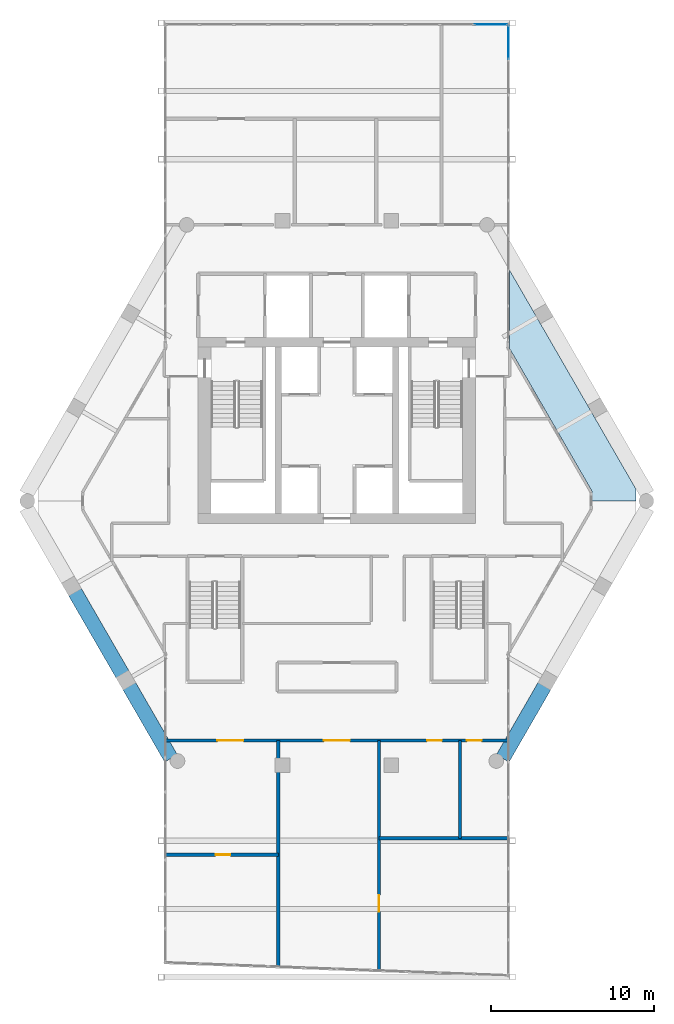
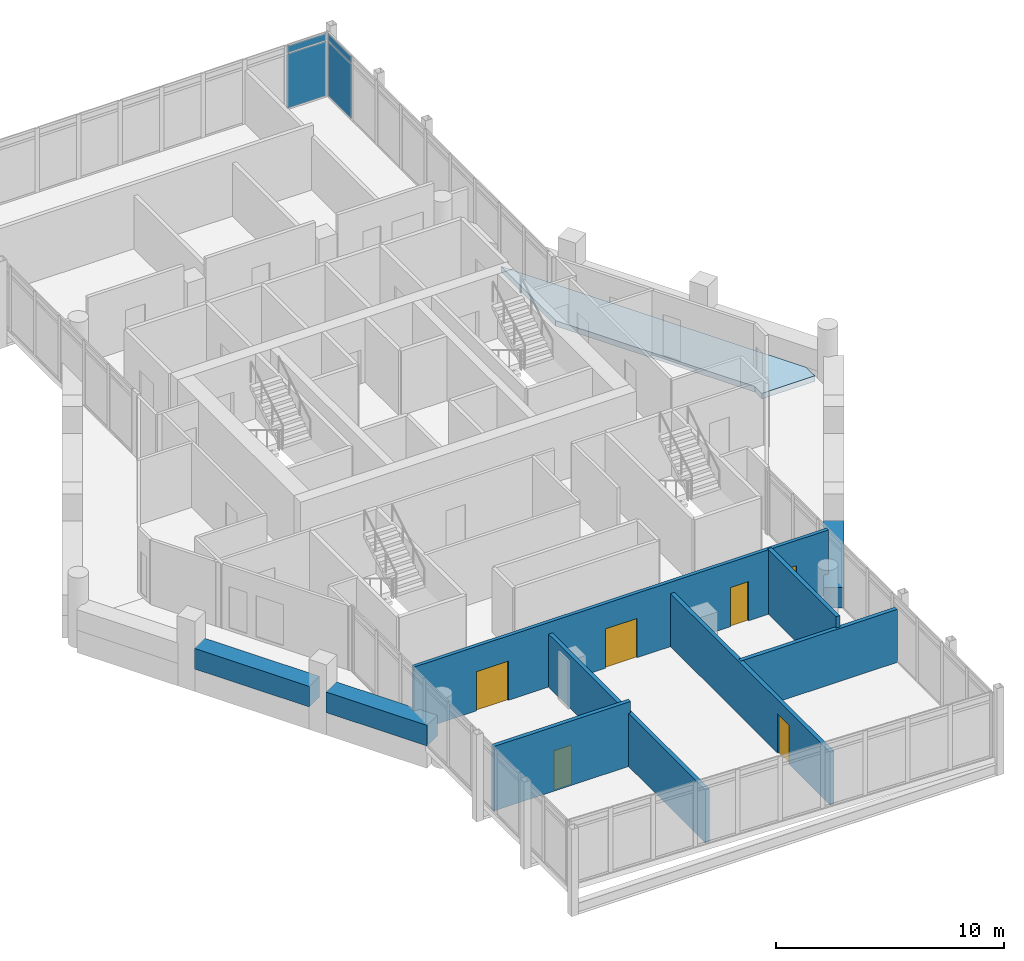
# One storey, part 20 of 25: 9 walls, 6 doors, 4 plates, 1 slab, 6 openings, 2 elements without a shape of their own.
"""IFC4 building model written with IfcOpenShell, lengths in metres."""

from ifc_helpers import new_model, si_unit, direction, frame, frame_2d, origin, origin_2d, place, context, subcontext, project, spatial, polyline, rectangle, outline, extrude, material, layer, layer_set, type_object, element, fill, aggregate, save


model = new_model("IFC4")

# Units and contexts
model_context = context("Model", 3, precision=1e-05, world=origin(), true_north=direction((0.0, 1.0)))
body_context = subcontext(model_context, "Body", "Model", "MODEL_VIEW")
ifc_project = project(units=[si_unit("LENGTHUNIT", "METRE"), si_unit("AREAUNIT", "SQUARE_METRE"), si_unit("VOLUMEUNIT", "CUBIC_METRE"), si_unit("PLANEANGLEUNIT", "RADIAN"), si_unit("MASSUNIT", "GRAM", prefix="KILO")], contexts=[model_context])

# Site, building, storey
site_placement = place(None, origin())
site = spatial("IfcSite", under=ifc_project, at=site_placement, CompositionType="ELEMENT")
building_placement = place(site_placement, origin())
building = spatial("IfcBuilding", under=site, at=building_placement, Name="Ostrander Bayou Hotel Tower", CompositionType="ELEMENT")
storey_placement = place(building_placement, frame((0.0, 0.0, 233.25)))
storey = spatial("IfcBuildingStorey", under=building, at=storey_placement, Name="L58", CompositionType="ELEMENT", Elevation=233.25)

# Curtain wall, plates
ifc_material_1 = material(Name="Aluminium and clear glass", Category="aluminium")
curtain_wall_type = type_object("IfcCurtainWallType", Name="CW-BAR glazed wall", PredefinedType="NOTDEFINED", material=ifc_material_1)
curtain_wall_1_placement = place(storey_placement, origin())
curtain_wall_1 = element("IfcCurtainWall", 1, at=curtain_wall_1_placement, inside=storey, type_object=curtain_wall_type, Name="CW-BAR L58:SB5N:T", PredefinedType="NOTDEFINED")
ifc_material_2 = material(Name="Clear laminated glass", Category="glass")
ifc_layer_1 = layer(ifc_material_2, 0.028076171875)
ifc_layer_set_1 = layer_set([ifc_layer_1], Name="CW-BR glazing panel 28 mm")
plate_type = type_object("IfcPlateType", Name="CW-BR glazing panel 28 mm", PredefinedType="CURTAIN_PANEL", material=ifc_layer_set_1)
plate_1_placement = place(storey_placement, frame((9.446044921875, 28.86669921875, 0.06005859375), z_axis=(0.0, 0.0, 1.0), x_axis=(1.0, 0.0, 0.0)))
plate_1 = element("IfcPlate", 2, at=plate_1_placement, type_object=plate_type, Name="CW-BAR panel 10.1", PredefinedType="CURTAIN_PANEL", context=body_context, shape_type="SweptSolid", body=[
    extrude(rectangle(XDim=2.012451171875, YDim=0.028076171875, at=origin_2d()), origin(), (0.0, 0.0, 1.0), 2.909912109375),
])
plate_2_placement = place(storey_placement, frame((9.446044921875, 28.86669921875, 3.02978515625), z_axis=(0.0, 0.0, 1.0), x_axis=(1.0, 0.0, 0.0)))
plate_2 = element("IfcPlate", 3, at=plate_2_placement, type_object=plate_type, Name="CW-BAR panel 10.2", PredefinedType="CURTAIN_PANEL", context=body_context, shape_type="SweptSolid", body=[
    extrude(rectangle(XDim=2.012451171875, YDim=0.028076171875, at=origin_2d()), origin(), (0.0, 0.0, 1.0), 0.360107421875),
])
aggregate(curtain_wall_1, [plate_1, plate_2])

curtain_wall_2_placement = place(storey_placement, origin())
curtain_wall_2 = element("IfcCurtainWall", 4, at=curtain_wall_2_placement, inside=storey, type_object=curtain_wall_type, Name="CW-BAR L58:SB5N:W", PredefinedType="NOTDEFINED")
plate_3_placement = place(storey_placement, frame((10.51220703125, 27.773681640625, 0.06005859375), z_axis=(0.0, 0.0, 1.0), x_axis=(0.0, 1.0, 0.0)))
plate_3 = element("IfcPlate", 5, at=plate_3_placement, type_object=plate_type, Name="CW-BAR panel 9.1", PredefinedType="CURTAIN_PANEL", context=body_context, shape_type="SweptSolid", body=[
    extrude(rectangle(XDim=2.065673828125, YDim=0.028076171875, at=origin_2d()), origin(), (0.0, 0.0, 1.0), 2.909912109375),
])
plate_4_placement = place(storey_placement, frame((10.51220703125, 27.773681640625, 3.02978515625), z_axis=(0.0, 0.0, 1.0), x_axis=(0.0, 1.0, 0.0)))
plate_4 = element("IfcPlate", 6, at=plate_4_placement, type_object=plate_type, Name="CW-BAR panel 9.2", PredefinedType="CURTAIN_PANEL", context=body_context, shape_type="SweptSolid", body=[
    extrude(rectangle(XDim=2.065673828125, YDim=0.028076171875, at=origin_2d()), origin(), (0.0, 0.0, 1.0), 0.360107421875),
])
aggregate(curtain_wall_2, [plate_3, plate_4])

# Slab
ifc_material_3 = material(Name="Concrete f'c 40 MPa", Category="concrete")
ifc_layer_2 = layer(ifc_material_3, 0.300048828125)
ifc_layer_set_2 = layer_set([ifc_layer_2], Name="SL4 loggia slab 300 mm f'c 40 MPa")
slab_type = type_object("IfcSlabType", Name="SL4 loggia slab 300 mm f'c 40 MPa", PredefinedType="FLOOR", material=ifc_layer_set_2)
slab_placement = place(storey_placement, frame((0.0, 0.0, -0.300048828125)))
element("IfcSlab", 7, at=slab_placement, inside=storey, type_object=slab_type, Name="SL4 LOGGIA L58 NE 1", PredefinedType="FLOOR", context=body_context, shape_type="SweptSolid", body=[
    extrude(outline(polyline([(10.587158203125, 13.807861328125), (18.2138671875, 0.59814453125), (18.315185546875, 0.422607421875), (18.315185546875, -0.327392578125), (15.63037109375, -0.327392578125), (15.63037109375, 0.272705078125), (10.587158203125, 9.0078125), (10.587158203125, 13.807861328125)])), origin(), (0.0, 0.0, 1.0), 0.300048828125),
])

# Walls
ifc_material_4 = material(Name="Limestone masonry", Category="masonry")
ifc_layer_3 = layer(ifc_material_4, 0.89990234375)
ifc_layer_set_3 = layer_set([ifc_layer_3], Name="PA2 limestone parapet 900 mm")
wall_type_1 = type_object("IfcWallType", Name="PA2 limestone parapet 900 mm", PredefinedType="PARAPET", material=ifc_layer_set_3)
wall_1_placement = place(storey_placement, frame((-16.047119140625, -5.905517578125, 0.0), z_axis=(0.0, 0.0, 1.0), x_axis=(0.500015433515, -0.866016493057, 0.0)))
element("IfcWall", 8, at=wall_1_placement, inside=storey, type_object=wall_type_1, Name="PA2 L58 SW-2", PredefinedType="PARAPET", context=body_context, shape_type="SweptSolid", body=[
    extrude(rectangle(XDim=5.818603515625, YDim=0.89990234375, at=frame_2d((2.9091796875, 0.0))), origin(), (0.0, 0.0, 1.0), 1.10009765625),
])
for number, where, z_axis, x_axis, name in (
    (9, (-12.7177734375, -11.672119140625, 0.0), (0.0, 0.0, 1.0), (0.500015879365, -0.866016235635, 0.0), "PA2 L58 SW-3"),
    (10, (10.160888671875, -16.1005859375, 0.0), (0.0, 0.0, 1.0), (0.500015879365, 0.866016235635, 0.0), "PA2 L58 SE-1"),
):
    element("IfcWall", number, at=place(storey_placement, frame(where, z_axis=z_axis, x_axis=x_axis)), inside=storey, type_object=wall_type_1, Name=name, PredefinedType="PARAPET", context=body_context, shape_type="SweptSolid", body=[
        extrude(rectangle(XDim=5.113525390625, YDim=0.89990234375, at=frame_2d((2.556640625, 0.0))), origin(), (0.0, 0.0, 1.0), 1.10009765625),
    ])

# Wall, opening, door
ifc_material_5 = material(Name="Gypsum board partition", Category="finish")
ifc_layer_4 = layer(ifc_material_5, 0.199951171875)
ifc_layer_set_4 = layer_set([ifc_layer_4], Name="PT3 demising wall 200 mm acoustic double stud, 1 hour")
wall_type_2 = type_object("IfcWallType", Name="PT3 demising wall 200 mm acoustic double stud, 1 hour", PredefinedType="PARTITIONING", material=ifc_layer_set_4)
wall_2_placement = place(storey_placement, frame((-10.4931640625, -22.0, 0.0), z_axis=(0.0, 0.0, 1.0), x_axis=(1.0, 0.0, 0.0)))
wall_2 = element("IfcWall", 11, at=wall_2_placement, inside=storey, type_object=wall_type_2, Name="sw:L58:510", PredefinedType="PARTITIONING", context=body_context, shape_type="SweptSolid", body=[
    extrude(rectangle(XDim=6.906005859375, YDim=0.199951171875, at=frame_2d((3.453125, 0.0))), origin(), (0.0, 0.0, 1.0), 3.449951171875),
])
opening_1_placement = place(wall_2_placement, frame((3.071044921875, 0.0, 0.0)))
opening_1 = element("IfcOpeningElement", 12, at=opening_1_placement, cuts=wall_2, Name="Opening T57-1202", PredefinedType="OPENING", context=body_context, shape_type="SweptSolid", body=[
    extrude(rectangle(XDim=0.89990234375, YDim=2.10009765625, at=frame_2d((0.449951171875, 1.050048828125))), frame((0.0, 0.10009765625, 0.0), z_axis=(0.0, -1.0, 0.0), x_axis=(1.0, 0.0, 0.0)), (0.0, 0.0, 1.0), 0.199951171875),
])
ifc_material_6 = material(Name="Timber door leaf", Category="wood")
door_type_1 = type_object("IfcDoorType", Name="D8 room door 900 x 2100 mm", OperationType="SINGLE_SWING_LEFT", PredefinedType="DOOR", material=ifc_material_6)
door_1_placement = place(opening_1_placement, origin())
door_1 = element("IfcDoor", 13, at=door_1_placement, inside=storey, type_object=door_type_1, Name="dr:L58:1202", OperationType="SINGLE_SWING_RIGHT", OverallHeight=2.10009765625, OverallWidth=0.89990234375, PredefinedType="DOOR", context=body_context, shape_type="SweptSolid", body=[
    extrude(rectangle(XDim=0.89990234375, YDim=2.10009765625, at=frame_2d((0.449951171875, 1.050048828125))), frame((0.0, 0.02490234375, 0.0), z_axis=(0.0, -1.0, 0.0), x_axis=(1.0, 0.0, 0.0)), (0.0, 0.0, 1.0), 0.050048828125),
])
fill(opening_1, door_1)

# Walls
wall_3_placement = place(storey_placement, frame((2.587158203125, -21.0, 0.0), z_axis=(0.0, 0.0, 1.0), x_axis=(1.0, 0.0, 0.0)))
element("IfcWall", 14, at=wall_3_placement, inside=storey, type_object=wall_type_2, Name="sw:L58:511", PredefinedType="PARTITIONING", context=body_context, shape_type="SweptSolid", body=[
    extrude(rectangle(XDim=7.906005859375, YDim=0.199951171875, at=frame_2d((3.953125, 0.0))), origin(), (0.0, 0.0, 1.0), 2.8388671875),
])
wall_4_placement = place(storey_placement, frame((-3.5869140625, -28.845458984375, 0.0), z_axis=(0.0, 0.0, 1.0), x_axis=(0.0, 1.0, 0.0)))
element("IfcWall", 15, at=wall_4_placement, inside=storey, type_object=wall_type_2, Name="sw:L58:513", PredefinedType="PARTITIONING", context=body_context, shape_type="SweptSolid", body=[
    extrude(rectangle(XDim=13.845458984375, YDim=0.199951171875, at=frame_2d((6.9228515625, 0.0))), origin(), (0.0, 0.0, 1.0), 2.8388671875),
])

# Wall, opening, door
wall_5_placement = place(storey_placement, frame((2.5869140625, -29.07861328125, 0.0), z_axis=(0.0, 0.0, 1.0), x_axis=(0.0, 1.0, 0.0)))
wall_5 = element("IfcWall", 16, at=wall_5_placement, inside=storey, type_object=wall_type_2, Name="sw:L58:516", PredefinedType="PARTITIONING", context=body_context, shape_type="SweptSolid", body=[
    extrude(rectangle(XDim=14.07861328125, YDim=0.199951171875, at=frame_2d((7.039306640625, 0.0))), origin(), (0.0, 0.0, 1.0), 2.8388671875),
])
opening_2_placement = place(wall_5_placement, frame((3.594970703125, 0.0, 0.0)))
opening_2 = element("IfcOpeningElement", 17, at=opening_2_placement, cuts=wall_5, Name="Opening T57-1203", PredefinedType="OPENING", context=body_context, shape_type="SweptSolid", body=[
    extrude(rectangle(XDim=1.0, YDim=2.10009765625, at=frame_2d((0.5, 1.050048828125))), frame((0.0, 0.10009765625, 0.0), z_axis=(0.0, -1.0, 0.0), x_axis=(1.0, 0.0, 0.0)), (0.0, 0.0, 1.0), 0.199951171875),
])
ifc_material_7 = material(Name="Timber door leaf", Category="wood")
door_type_2 = type_object("IfcDoorType", Name="D9 service door 1000 x 2100 mm, 30 minute", OperationType="SINGLE_SWING_LEFT", PredefinedType="DOOR", material=ifc_material_7)
door_2_placement = place(opening_2_placement, origin())
door_2 = element("IfcDoor", 18, at=door_2_placement, inside=storey, type_object=door_type_2, Name="dr:L58:1203", OperationType="SINGLE_SWING_LEFT", OverallHeight=2.10009765625, OverallWidth=1.0, PredefinedType="DOOR", context=body_context, shape_type="SweptSolid", body=[
    extrude(rectangle(XDim=1.0, YDim=2.10009765625, at=frame_2d((0.5, 1.050048828125))), frame((0.0, 0.02490234375, 0.0), z_axis=(0.0, -1.0, 0.0), x_axis=(1.0, 0.0, 0.0)), (0.0, 0.0, 1.0), 0.050048828125),
])
fill(opening_2, door_2)

# Wall
wall_6_placement = place(storey_placement, frame((7.547119140625, -21.0, 0.0), z_axis=(0.0, 0.0, 1.0), x_axis=(0.0, 1.0, 0.0)))
element("IfcWall", 19, at=wall_6_placement, inside=storey, type_object=wall_type_2, Name="sw:L58:518", PredefinedType="PARTITIONING", context=body_context, shape_type="SweptSolid", body=[
    extrude(rectangle(XDim=6.0, YDim=0.199951171875, at=frame_2d((3.0, 0.0))), origin(), (0.0, 0.0, 1.0), 3.449951171875),
])

# Wall, openings, doors
ifc_material_8 = material(Name="Gypsum board partition", Category="finish")
ifc_layer_5 = layer(ifc_material_8, 0.175048828125)
ifc_layer_set_5 = layer_set([ifc_layer_5], Name="PT4 corridor wall 175 mm, 1 hour")
wall_type_3 = type_object("IfcWallType", Name="PT4 corridor wall 175 mm, 1 hour", PredefinedType="PARTITIONING", material=ifc_layer_set_5)
wall_7_placement = place(storey_placement, frame((-10.4931640625, -15.0, 0.0), z_axis=(0.0, 0.0, 1.0), x_axis=(1.0, 0.0, 0.0)))
wall_7 = element("IfcWall", 20, at=wall_7_placement, inside=storey, type_object=wall_type_3, Name="sw:L58:500", PredefinedType="PARTITIONING", context=body_context, shape_type="SweptSolid", body=[
    extrude(rectangle(XDim=20.986328125, YDim=0.175048828125, at=frame_2d((10.4931640625, 0.0))), origin(), (0.0, 0.0, 1.0), 3.449951171875),
])
opening_3_placement = place(wall_7_placement, frame((3.169189453125, 0.0, 0.0)))
opening_3 = element("IfcOpeningElement", 21, at=opening_3_placement, cuts=wall_7, Name="Opening T57-1201", PredefinedType="OPENING", context=body_context, shape_type="SweptSolid", body=[
    extrude(rectangle(XDim=1.60009765625, YDim=2.10009765625, at=frame_2d((0.800048828125, 1.050048828125))), frame((0.0, 0.08740234375, 0.0), z_axis=(0.0, -1.0, 0.0), x_axis=(1.0, 0.0, 0.0)), (0.0, 0.0, 1.0), 0.175048828125),
])
opening_4_placement = place(wall_7_placement, frame((16.02587890625, 0.0, 0.0)))
opening_4 = element("IfcOpeningElement", 22, at=opening_4_placement, cuts=wall_7, Name="Opening T57-1204", PredefinedType="OPENING", context=body_context, shape_type="SweptSolid", body=[
    extrude(rectangle(XDim=0.89990234375, YDim=2.10009765625, at=frame_2d((0.449951171875, 1.050048828125))), frame((0.0, 0.08740234375, 0.0), z_axis=(0.0, -1.0, 0.0), x_axis=(1.0, 0.0, 0.0)), (0.0, 0.0, 1.0), 0.175048828125),
])
opening_5_placement = place(wall_7_placement, frame((18.461669921875, 0.0, 0.0)))
opening_5 = element("IfcOpeningElement", 23, at=opening_5_placement, cuts=wall_7, Name="Opening T57-1205", PredefinedType="OPENING", context=body_context, shape_type="SweptSolid", body=[
    extrude(rectangle(XDim=0.89990234375, YDim=2.10009765625, at=frame_2d((0.449951171875, 1.050048828125))), frame((0.0, 0.08740234375, 0.0), z_axis=(0.0, -1.0, 0.0), x_axis=(1.0, 0.0, 0.0)), (0.0, 0.0, 1.0), 0.175048828125),
])
opening_6_placement = place(wall_7_placement, frame((9.693115234375, 0.0, 0.0)))
opening_6 = element("IfcOpeningElement", 24, at=opening_6_placement, cuts=wall_7, Name="Opening T57-1206", PredefinedType="OPENING", context=body_context, shape_type="SweptSolid", body=[
    extrude(rectangle(XDim=1.60009765625, YDim=2.10009765625, at=frame_2d((0.800048828125, 1.050048828125))), frame((0.0, 0.08740234375, 0.0), z_axis=(0.0, -1.0, 0.0), x_axis=(1.0, 0.0, 0.0)), (0.0, 0.0, 1.0), 0.175048828125),
])
ifc_material_9 = material(Name="Timber door leaf", Category="wood")
door_type_3 = type_object("IfcDoorType", Name="D13 double door 1600 x 2100 mm, 1 hour", OperationType="SINGLE_SWING_LEFT", PredefinedType="DOOR", material=ifc_material_9)
door_3_placement = place(opening_3_placement, origin())
door_3 = element("IfcDoor", 25, at=door_3_placement, inside=storey, type_object=door_type_3, Name="dr:L58:1201", OperationType="DOUBLE_DOOR_SINGLE_SWING", OverallHeight=2.10009765625, OverallWidth=1.60009765625, PredefinedType="DOOR", context=body_context, shape_type="SweptSolid", body=[
    extrude(rectangle(XDim=1.60009765625, YDim=2.10009765625, at=frame_2d((0.800048828125, 1.050048828125))), frame((0.0, 0.02490234375, 0.0), z_axis=(0.0, -1.0, 0.0), x_axis=(1.0, 0.0, 0.0)), (0.0, 0.0, 1.0), 0.050048828125),
])
fill(opening_3, door_3)
door_4_placement = place(opening_6_placement, origin())
door_4 = element("IfcDoor", 26, at=door_4_placement, inside=storey, type_object=door_type_3, Name="dr:L58:1206", OperationType="DOUBLE_DOOR_SINGLE_SWING", OverallHeight=2.10009765625, OverallWidth=1.60009765625, PredefinedType="DOOR", context=body_context, shape_type="SweptSolid", body=[
    extrude(rectangle(XDim=1.60009765625, YDim=2.10009765625, at=frame_2d((0.800048828125, 1.050048828125))), frame((0.0, 0.02490234375, 0.0), z_axis=(0.0, -1.0, 0.0), x_axis=(1.0, 0.0, 0.0)), (0.0, 0.0, 1.0), 0.050048828125),
])
fill(opening_6, door_4)
door_5_placement = place(opening_4_placement, origin())
door_5 = element("IfcDoor", 27, at=door_5_placement, inside=storey, type_object=door_type_1, Name="dr:L58:1204", OperationType="SINGLE_SWING_RIGHT", OverallHeight=2.10009765625, OverallWidth=0.89990234375, PredefinedType="DOOR", context=body_context, shape_type="SweptSolid", body=[
    extrude(rectangle(XDim=0.89990234375, YDim=2.10009765625, at=frame_2d((0.449951171875, 1.050048828125))), frame((0.0, 0.02490234375, 0.0), z_axis=(0.0, -1.0, 0.0), x_axis=(1.0, 0.0, 0.0)), (0.0, 0.0, 1.0), 0.050048828125),
])
fill(opening_4, door_5)
door_6_placement = place(opening_5_placement, origin())
door_6 = element("IfcDoor", 28, at=door_6_placement, inside=storey, type_object=door_type_1, Name="dr:L58:1205", OperationType="SINGLE_SWING_LEFT", OverallHeight=2.10009765625, OverallWidth=0.89990234375, PredefinedType="DOOR", context=body_context, shape_type="SweptSolid", body=[
    extrude(rectangle(XDim=0.89990234375, YDim=2.10009765625, at=frame_2d((0.449951171875, 1.050048828125))), frame((0.0, 0.02490234375, 0.0), z_axis=(0.0, -1.0, 0.0), x_axis=(1.0, 0.0, 0.0)), (0.0, 0.0, 1.0), 0.050048828125),
])
fill(opening_5, door_6)

save(model, "model.ifc")
